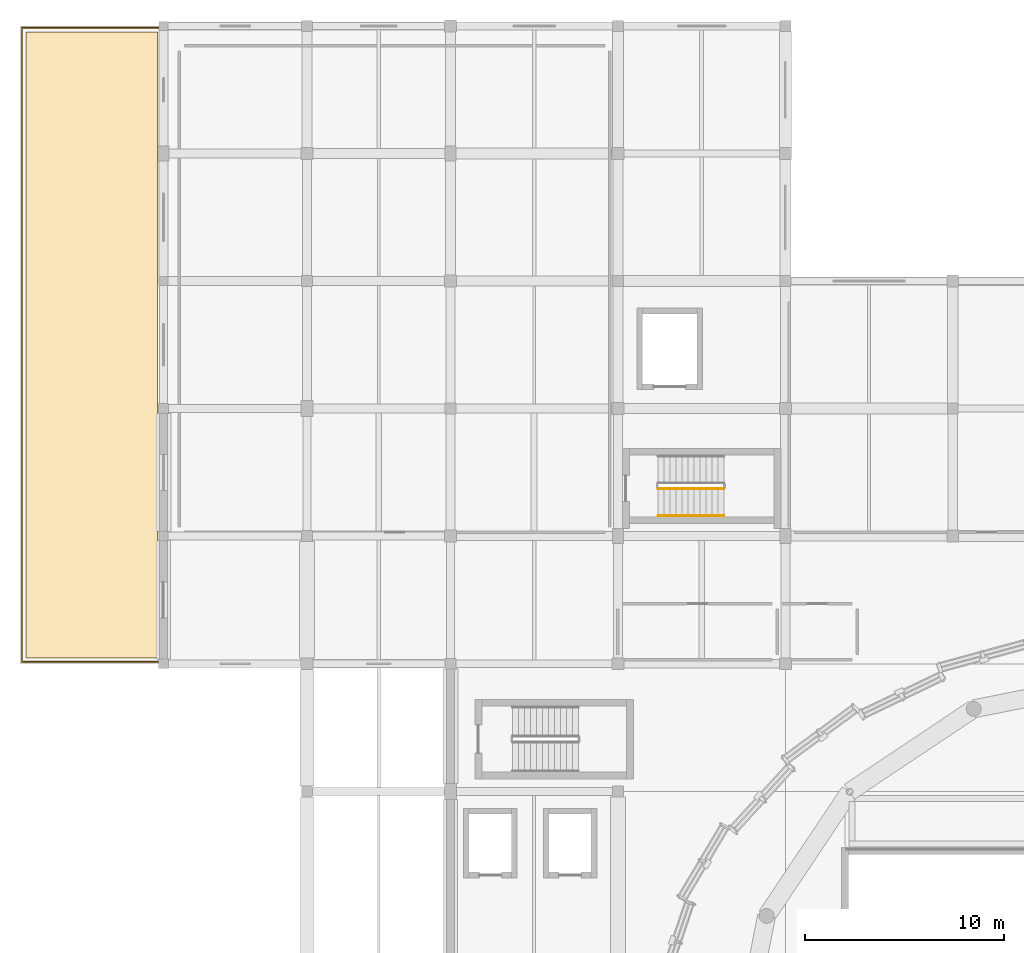
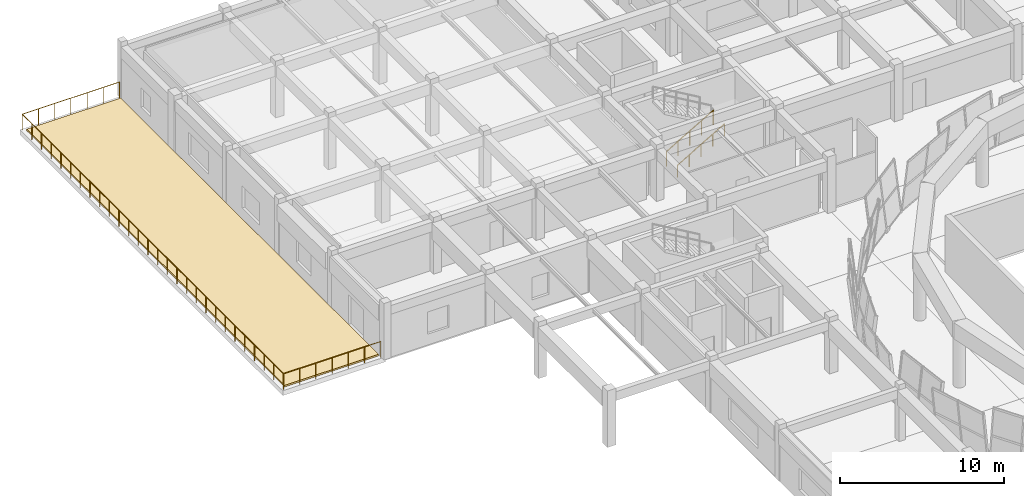
# One storey, part 36 of 40: 3 railings, 1 covering.
"""IFC4 building model written with IfcOpenShell, lengths in metres."""

from ifc_helpers import new_model, si_unit, direction, frame, origin, origin_2d, place, context, subcontext, project, spatial, polyline, circle, outline, extrude, material, layer, layer_set, type_object, element, save


model = new_model("IFC4")

# Units and contexts
model_context = context("Model", 3, precision=1e-05, world=origin(), true_north=direction((0.0, 1.0)))
body_context = subcontext(model_context, "Body", "Model", "MODEL_VIEW")
ifc_project = project(units=[si_unit("LENGTHUNIT", "METRE"), si_unit("AREAUNIT", "SQUARE_METRE"), si_unit("VOLUMEUNIT", "CUBIC_METRE"), si_unit("PLANEANGLEUNIT", "RADIAN"), si_unit("MASSUNIT", "GRAM", prefix="KILO")], contexts=[model_context])

# Site, building, storey
site_placement = place(None, origin())
site = spatial("IfcSite", under=ifc_project, at=site_placement, CompositionType="ELEMENT")
building_placement = place(site_placement, origin())
building = spatial("IfcBuilding", under=site, at=building_placement, Name="Korsvaeld Concert Hall", CompositionType="ELEMENT")
storey_placement = place(building_placement, frame((0.0, 0.0, 13.199951171875)))
storey = spatial("IfcBuildingStorey", under=building, at=storey_placement, Name="L03", CompositionType="ELEMENT", Elevation=13.199951171875)

# Covering
ifc_material_1 = material(Name="Mughal-garden sedum planted green roof substrate")
ifc_layer = layer(ifc_material_1, 0.1201171875)
ifc_layer_set = layer_set([ifc_layer], Name="Mughal-garden sedum planted green roof substrate")
covering_type = type_object("IfcCoveringType", Name="COV-ROOF-GREEN", PredefinedType="ROOFING", material=ifc_layer_set)
covering_placement = place(storey_placement, origin())
element("IfcCovering", 1, at=covering_placement, inside=storey, type_object=covering_type, Name="Mughal-garden green roof planting TER_L03_NW", PredefinedType="ROOFING", context=body_context, shape_type="SweptSolid", body=[
    extrude(outline(polyline([(35.699951171875, 83.5), (35.699951171875, 114.89990234375), (29.10009765625, 114.89990234375), (29.10009765625, 83.5), (35.699951171875, 83.5)])), origin(), (0.0, 0.0, 1.0), 0.1201171875),
])

# Railings
ifc_material_2 = material(Name="Powder-coated steel and bronze stair guardrail", Category="steel")
railing_type_1 = type_object("IfcRailingType", Name="RL-STAIR-GUARD-120", PredefinedType="GUARDRAIL", material=ifc_material_2)
railing_1_placement = place(storey_placement, frame((60.820068359375, 91.969970703125, 0.175048828125)))
element("IfcRailing", 2, at=railing_1_placement, inside=storey, type_object=railing_type_1, Name="L03 ST-K5 stair guard 1", PredefinedType="GUARDRAIL", context=body_context, shape_type="SweptSolid", body=[
    extrude(circle(Radius=0.02392578125, at=origin_2d()), frame((0.0, 0.0, 1.076171875), z_axis=(0.863776583165, 0.0, 0.503874998761), x_axis=(0.0, 1.0, 0.0)), (0.0, 0.0, 1.0), 3.820556640625),
    extrude(circle(Radius=0.02099609375, at=origin_2d()), origin(), (0.0, 0.0, 1.0), 1.052001953125),
    extrude(circle(Radius=0.02099609375, at=origin_2d()), frame((0.824951171875, 0.0, 0.481201171875)), (0.0, 0.0, 1.0), 1.052001953125),
    extrude(circle(Radius=0.02099609375, at=origin_2d()), frame((1.64990234375, 0.0, 0.96240234375)), (0.0, 0.0, 1.0), 1.052001953125),
    extrude(circle(Radius=0.02099609375, at=origin_2d()), frame((2.47509765625, 0.0, 1.44384765625)), (0.0, 0.0, 1.0), 1.052001953125),
    extrude(circle(Radius=0.02099609375, at=origin_2d()), frame((3.300048828125, 0.0, 1.925048828125)), (0.0, 0.0, 1.0), 1.052001953125),
])
ifc_material_3 = material(Name="European oak and bronze stair handrail")
railing_type_2 = type_object("IfcRailingType", Name="RL-STAIR-HAND-90", PredefinedType="HANDRAIL", material=ifc_material_3)
railing_2_placement = place(storey_placement, frame((60.820068359375, 90.6201171875, 0.175048828125)))
element("IfcRailing", 3, at=railing_2_placement, inside=storey, type_object=railing_type_2, Name="L03 ST-K5 stair handrail 1", PredefinedType="HANDRAIL", context=body_context, shape_type="SweptSolid", body=[
    extrude(circle(Radius=0.02392578125, at=origin_2d()), frame((0.0, 0.0, 0.8759765625), z_axis=(0.863776583165, 0.0, 0.503874998761), x_axis=(0.0, 1.0, 0.0)), (0.0, 0.0, 1.0), 3.820556640625),
    extrude(circle(Radius=0.02099609375, at=origin_2d()), origin(), (0.0, 0.0, 1.0), 0.851806640625),
    extrude(circle(Radius=0.02099609375, at=origin_2d()), frame((0.824951171875, 0.0, 0.481201171875)), (0.0, 0.0, 1.0), 0.851806640625),
    extrude(circle(Radius=0.02099609375, at=origin_2d()), frame((1.64990234375, 0.0, 0.96240234375)), (0.0, 0.0, 1.0), 0.851806640625),
    extrude(circle(Radius=0.02099609375, at=origin_2d()), frame((2.47509765625, 0.0, 1.44384765625)), (0.0, 0.0, 1.0), 0.851806640625),
    extrude(circle(Radius=0.02099609375, at=origin_2d()), frame((3.300048828125, 0.0, 1.925048828125)), (0.0, 0.0, 1.0), 0.851806640625),
])
ifc_material_4 = material(Name="Anodised architectural bronze guardrail")
railing_type_3 = type_object("IfcRailingType", Name="RL-TERR-GUARD-120", PredefinedType="GUARDRAIL", material=ifc_material_4)
railing_3_placement = place(storey_placement, frame((35.739990234375, 83.300048828125, 0.0)))
element("IfcRailing", 4, at=railing_3_placement, inside=storey, type_object=railing_type_3, Name="Planted terrace bronze guardrail TER_L03_NW", PredefinedType="GUARDRAIL", context=body_context, shape_type="SweptSolid", body=[
    extrude(circle(Radius=0.02392578125, at=origin_2d()), frame((0.0, 0.0, 1.17578125), z_axis=(-1.0, 0.0, 0.0), x_axis=(0.0, -1.0, 0.0)), (0.0, 0.0, 1.0), 6.840087890625),
    extrude(circle(Radius=0.02392578125, at=origin_2d()), frame((-6.840087890625, 0.0, 1.17578125), z_axis=(0.0, 1.0, 0.0), x_axis=(-1.0, 0.0, 0.0)), (0.0, 0.0, 1.0), 31.800048828125),
    extrude(circle(Radius=0.02392578125, at=origin_2d()), frame((-6.840087890625, 31.800048828125, 1.17578125), z_axis=(1.0, 0.0, 0.0), x_axis=(0.0, 1.0, 0.0)), (0.0, 0.0, 1.0), 6.840087890625),
    extrude(circle(Radius=0.02099609375, at=origin_2d()), origin(), (0.0, 0.0, 1.0), 1.15185546875),
    extrude(circle(Radius=0.02099609375, at=origin_2d()), frame((-1.14013671875, 0.0, 0.0)), (0.0, 0.0, 1.0), 1.15185546875),
    extrude(circle(Radius=0.02099609375, at=origin_2d()), frame((-2.280029296875, 0.0, 0.0)), (0.0, 0.0, 1.0), 1.15185546875),
    extrude(circle(Radius=0.02099609375, at=origin_2d()), frame((-3.419921875, 0.0, 0.0)), (0.0, 0.0, 1.0), 1.15185546875),
    extrude(circle(Radius=0.02099609375, at=origin_2d()), frame((-4.56005859375, 0.0, 0.0)), (0.0, 0.0, 1.0), 1.15185546875),
    extrude(circle(Radius=0.02099609375, at=origin_2d()), frame((-5.7001953125, 0.0, 0.0)), (0.0, 0.0, 1.0), 1.15185546875),
    extrude(circle(Radius=0.02099609375, at=origin_2d()), frame((-6.840087890625, 0.0, 0.0)), (0.0, 0.0, 1.0), 1.15185546875),
    extrude(circle(Radius=0.02099609375, at=origin_2d()), frame((-6.840087890625, 1.177734375, 0.0)), (0.0, 0.0, 1.0), 1.15185546875),
    extrude(circle(Radius=0.02099609375, at=origin_2d()), frame((-6.840087890625, 2.35546875, 0.0)), (0.0, 0.0, 1.0), 1.15185546875),
    extrude(circle(Radius=0.02099609375, at=origin_2d()), frame((-6.840087890625, 3.533447265625, 0.0)), (0.0, 0.0, 1.0), 1.15185546875),
    extrude(circle(Radius=0.02099609375, at=origin_2d()), frame((-6.840087890625, 4.711181640625, 0.0)), (0.0, 0.0, 1.0), 1.15185546875),
    extrude(circle(Radius=0.02099609375, at=origin_2d()), frame((-6.840087890625, 5.888916015625, 0.0)), (0.0, 0.0, 1.0), 1.15185546875),
    extrude(circle(Radius=0.02099609375, at=origin_2d()), frame((-6.840087890625, 7.066650390625, 0.0)), (0.0, 0.0, 1.0), 1.15185546875),
    extrude(circle(Radius=0.02099609375, at=origin_2d()), frame((-6.840087890625, 8.244384765625, 0.0)), (0.0, 0.0, 1.0), 1.15185546875),
    extrude(circle(Radius=0.02099609375, at=origin_2d()), frame((-6.840087890625, 9.422119140625, 0.0)), (0.0, 0.0, 1.0), 1.15185546875),
    extrude(circle(Radius=0.02099609375, at=origin_2d()), frame((-6.840087890625, 10.60009765625, 0.0)), (0.0, 0.0, 1.0), 1.15185546875),
    extrude(circle(Radius=0.02099609375, at=origin_2d()), frame((-6.840087890625, 11.77783203125, 0.0)), (0.0, 0.0, 1.0), 1.15185546875),
    extrude(circle(Radius=0.02099609375, at=origin_2d()), frame((-6.840087890625, 12.95556640625, 0.0)), (0.0, 0.0, 1.0), 1.15185546875),
    extrude(circle(Radius=0.02099609375, at=origin_2d()), frame((-6.840087890625, 14.13330078125, 0.0)), (0.0, 0.0, 1.0), 1.15185546875),
    extrude(circle(Radius=0.02099609375, at=origin_2d()), frame((-6.840087890625, 15.31103515625, 0.0)), (0.0, 0.0, 1.0), 1.15185546875),
    extrude(circle(Radius=0.02099609375, at=origin_2d()), frame((-6.840087890625, 16.489013671875, 0.0)), (0.0, 0.0, 1.0), 1.15185546875),
    extrude(circle(Radius=0.02099609375, at=origin_2d()), frame((-6.840087890625, 17.666748046875, 0.0)), (0.0, 0.0, 1.0), 1.15185546875),
    extrude(circle(Radius=0.02099609375, at=origin_2d()), frame((-6.840087890625, 18.844482421875, 0.0)), (0.0, 0.0, 1.0), 1.15185546875),
    extrude(circle(Radius=0.02099609375, at=origin_2d()), frame((-6.840087890625, 20.022216796875, 0.0)), (0.0, 0.0, 1.0), 1.15185546875),
    extrude(circle(Radius=0.02099609375, at=origin_2d()), frame((-6.840087890625, 21.199951171875, 0.0)), (0.0, 0.0, 1.0), 1.15185546875),
    extrude(circle(Radius=0.02099609375, at=origin_2d()), frame((-6.840087890625, 22.3779296875, 0.0)), (0.0, 0.0, 1.0), 1.15185546875),
    extrude(circle(Radius=0.02099609375, at=origin_2d()), frame((-6.840087890625, 23.5556640625, 0.0)), (0.0, 0.0, 1.0), 1.15185546875),
    extrude(circle(Radius=0.02099609375, at=origin_2d()), frame((-6.840087890625, 24.7333984375, 0.0)), (0.0, 0.0, 1.0), 1.15185546875),
    extrude(circle(Radius=0.02099609375, at=origin_2d()), frame((-6.840087890625, 25.9111328125, 0.0)), (0.0, 0.0, 1.0), 1.15185546875),
    extrude(circle(Radius=0.02099609375, at=origin_2d()), frame((-6.840087890625, 27.0888671875, 0.0)), (0.0, 0.0, 1.0), 1.15185546875),
    extrude(circle(Radius=0.02099609375, at=origin_2d()), frame((-6.840087890625, 28.2666015625, 0.0)), (0.0, 0.0, 1.0), 1.15185546875),
    extrude(circle(Radius=0.02099609375, at=origin_2d()), frame((-6.840087890625, 29.444580078125, 0.0)), (0.0, 0.0, 1.0), 1.15185546875),
    extrude(circle(Radius=0.02099609375, at=origin_2d()), frame((-6.840087890625, 30.622314453125, 0.0)), (0.0, 0.0, 1.0), 1.15185546875),
    extrude(circle(Radius=0.02099609375, at=origin_2d()), frame((-6.840087890625, 31.800048828125, 0.0)), (0.0, 0.0, 1.0), 1.15185546875),
    extrude(circle(Radius=0.02099609375, at=origin_2d()), frame((-5.7001953125, 31.800048828125, 0.0)), (0.0, 0.0, 1.0), 1.15185546875),
    extrude(circle(Radius=0.02099609375, at=origin_2d()), frame((-4.56005859375, 31.800048828125, 0.0)), (0.0, 0.0, 1.0), 1.15185546875),
    extrude(circle(Radius=0.02099609375, at=origin_2d()), frame((-3.419921875, 31.800048828125, 0.0)), (0.0, 0.0, 1.0), 1.15185546875),
    extrude(circle(Radius=0.02099609375, at=origin_2d()), frame((-2.280029296875, 31.800048828125, 0.0)), (0.0, 0.0, 1.0), 1.15185546875),
    extrude(circle(Radius=0.02099609375, at=origin_2d()), frame((-1.14013671875, 31.800048828125, 0.0)), (0.0, 0.0, 1.0), 1.15185546875),
    extrude(circle(Radius=0.02099609375, at=origin_2d()), frame((0.0, 31.800048828125, 0.0)), (0.0, 0.0, 1.0), 1.15185546875),
])

save(model, "model.ifc")
